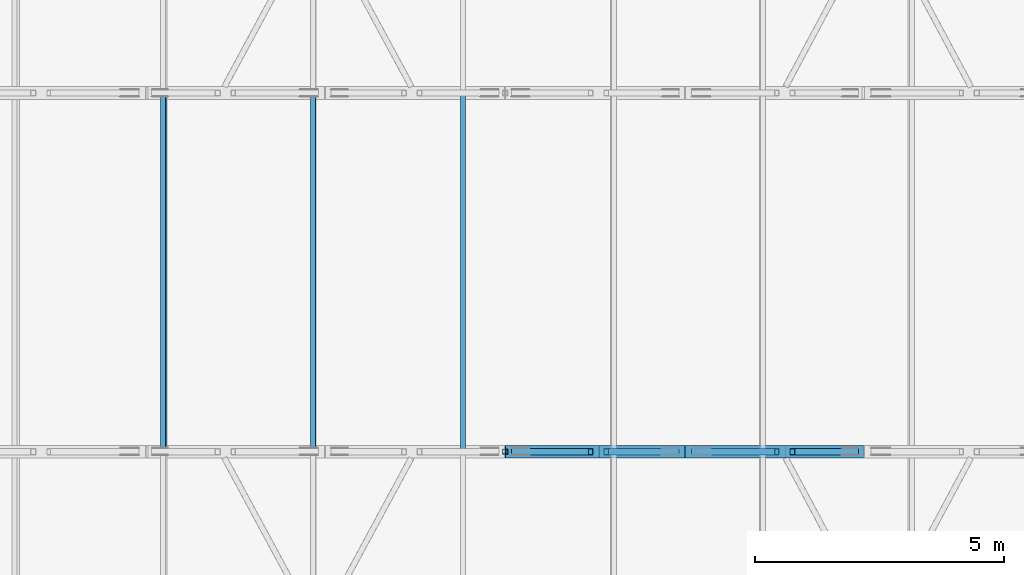
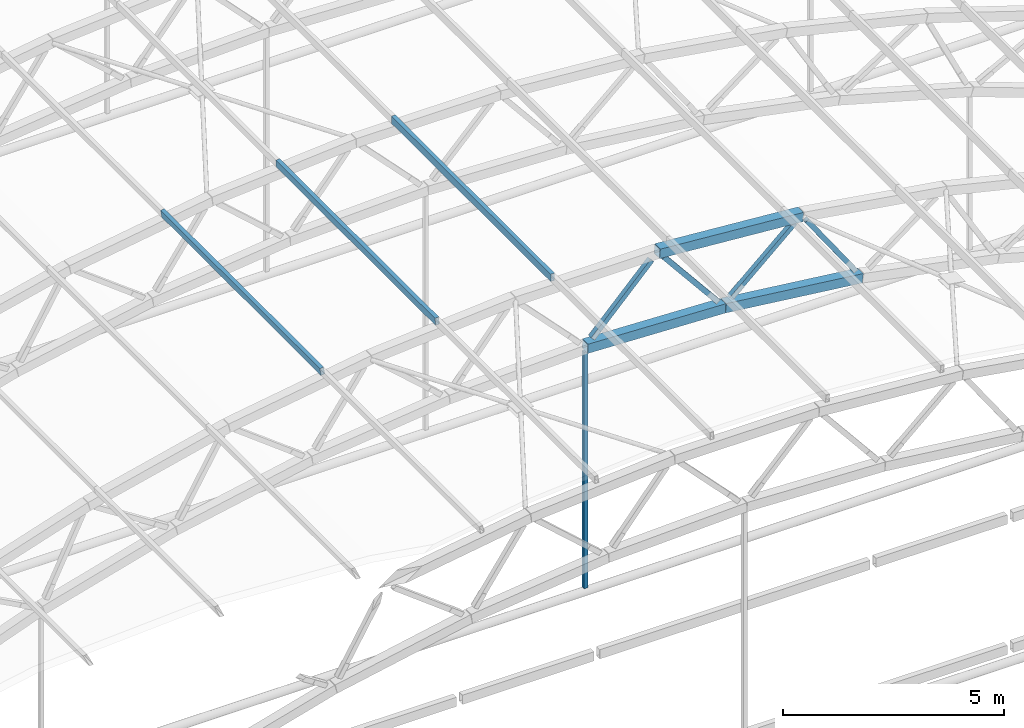
# One storey, part 50 of 127: 11 members.
"""IFC4 building model written with IfcOpenShell, lengths in metres."""

from ifc_helpers import new_model, si_unit, direction, frame, origin, origin_2d, place, context, subcontext, project, spatial, hollow_rectangle, extrude, material, material_profile, profile_set, type_object, element, save


model = new_model("IFC4")

# Units and contexts
model_context = context("Model", 3, precision=1e-05, world=origin(), true_north=direction((0.0, 1.0)))
body_context = subcontext(model_context, "Body", "Model", "MODEL_VIEW")
ifc_project = project(units=[si_unit("LENGTHUNIT", "METRE"), si_unit("AREAUNIT", "SQUARE_METRE"), si_unit("VOLUMEUNIT", "CUBIC_METRE"), si_unit("PLANEANGLEUNIT", "RADIAN"), si_unit("MASSUNIT", "GRAM", prefix="KILO")], contexts=[model_context])

# Site, building, storey
site_placement = place(None, origin())
site = spatial("IfcSite", under=ifc_project, at=site_placement, CompositionType="ELEMENT")
building_placement = place(site_placement, origin())
building = spatial("IfcBuilding", under=site, at=building_placement, Name="Verrick Yard Athletic Hall", CompositionType="ELEMENT")
storey_placement = place(building_placement, frame((0.0, 0.0, 14.0)))
storey = spatial("IfcBuildingStorey", under=building, at=storey_placement, Name="L03", CompositionType="ELEMENT", Elevation=14.0)

# Members
ifc_material = material(Name="Structural steel HSS Class C 350W (CSA G40.20/G40.21)", Category="steel")
ifc_material_profile_1 = material_profile(ifc_material, hollow_rectangle(XDim=0.25390625, YDim=0.25390625, WallThickness=0.009521484375, at=origin_2d()), Name="HSS254x254x9.5")
ifc_profile_set_1 = profile_set([ifc_material_profile_1], Name="Structural steel HSS Class C 350W (CSA G40.20/G40.21)")
member_type_1 = type_object("IfcMemberType", Name="HB bottom chord HSS254x254x9.5", PredefinedType="CHORD", material=ifc_profile_set_1)
member_1_placement = place(storey_placement, frame((145.60498046875, 79.199951171875, 6.757080078125), z_axis=(0.999229759959, 0.0, -0.039241391579), x_axis=(0.0, 1.0, 0.0)))
element("IfcMember", 1, at=member_1_placement, inside=storey, type_object=member_type_1, Name="Truss TA2 bottom chord 8", PredefinedType="CHORD", context=body_context, shape_type="SweptSolid", body=[
    extrude(hollow_rectangle(XDim=0.25390625, YDim=0.25390625, WallThickness=0.009521484375, at=origin_2d()), origin(), (0.0, 0.0, 1.0), 3.595947265625),
])
member_2_placement = place(storey_placement, frame((149.208251953125, 79.199951171875, 6.615234375), z_axis=(0.993094882284, 0.0, -0.117313915545), x_axis=(0.0, 1.0, 0.0)))
element("IfcMember", 2, at=member_2_placement, inside=storey, type_object=member_type_1, Name="Truss TA2 bottom chord 9", PredefinedType="CHORD", context=body_context, shape_type="SweptSolid", body=[
    extrude(hollow_rectangle(XDim=0.25390625, YDim=0.25390625, WallThickness=0.009521484375, at=origin_2d()), origin(), (0.0, 0.0, 1.0), 3.59619140625),
])
ifc_material_profile_2 = material_profile(ifc_material, hollow_rectangle(XDim=0.1015625, YDim=0.203125, WallThickness=0.009521484375, at=origin_2d()), Name="HSS203x102x9.5")
ifc_profile_set_2 = profile_set([ifc_material_profile_2], Name="Structural steel HSS Class C 350W (CSA G40.20/G40.21)")
member_type_2 = type_object("IfcMemberType", Name="HB purlin HSS203x102x9.5", PredefinedType="PURLIN", material=ifc_profile_set_2)
for number, where, z_axis, x_axis, name in (
    (3, (138.750244140625, 79.199951171875, 8.464599609375), (0.0, 1.0, 0.0), (-0.987728086354, 0.0, -0.156183313539), "HB-PU-A-2-7"),
    (4, (141.747802734375, 79.199951171875, 8.794677734375), (0.0, 1.0, 0.0), (-0.996927304266, 0.0, -0.078332305011), "HB-PU-A-2-8"),
    (5, (144.759765625, 79.199951171875, 8.948974609375), (0.0, 1.0, 0.0), (-1.0, 0.0, 0.0), "HB-PU-A-2-9"),
):
    element("IfcMember", number, at=place(storey_placement, frame(where, z_axis=z_axis, x_axis=x_axis)), inside=storey, type_object=member_type_2, Name=name, PredefinedType="PURLIN", context=body_context, shape_type="SweptSolid", body=[
        extrude(hollow_rectangle(XDim=0.1015625, YDim=0.203125, WallThickness=0.009521484375, at=origin_2d()), origin(), (0.0, 0.0, 1.0), 7.199951171875),
    ])
ifc_material_profile_3 = material_profile(ifc_material, hollow_rectangle(XDim=0.25390625, YDim=0.25390625, WallThickness=0.009521484375, at=origin_2d()), Name="HSS254x254x9.5")
ifc_profile_set_3 = profile_set([ifc_material_profile_3], Name="Structural steel HSS Class C 350W (CSA G40.20/G40.21)")
member_type_3 = type_object("IfcMemberType", Name="HB top chord HSS254x254x9.5", PredefinedType="CHORD", material=ifc_profile_set_3)
member_3_placement = place(storey_placement, frame((147.486328125, 79.199951171875, 8.719970703125), z_axis=(0.996928028323, 0.0, -0.078323089468), x_axis=(0.0, 1.0, 0.0)))
element("IfcMember", 6, at=member_3_placement, inside=storey, type_object=member_type_3, Name="Truss TA2 top chord 9", PredefinedType="CHORD", context=body_context, shape_type="SweptSolid", body=[
    extrude(hollow_rectangle(XDim=0.25390625, YDim=0.25390625, WallThickness=0.009521484375, at=origin_2d()), origin(), (0.0, 0.0, 1.0), 3.7529296875),
])
ifc_material_profile_4 = material_profile(ifc_material, hollow_rectangle(XDim=0.1015625, YDim=0.1015625, WallThickness=0.00634765625, at=origin_2d()), Name="HSS102x102x6.4")
ifc_profile_set_4 = profile_set([ifc_material_profile_4], Name="Structural steel HSS Class C 350W (CSA G40.20/G40.21)")
member_type_4 = type_object("IfcMemberType", Name="HB truss hanger HSS102x102x6.4", PredefinedType="MEMBER", material=ifc_profile_set_4)
member_4_placement = place(storey_placement, frame((145.60009765625, 79.199951171875, 6.628173828125), z_axis=(0.0, 0.0, -1.0), x_axis=(0.0, -1.0, 0.0)))
element("IfcMember", 7, at=member_4_placement, inside=storey, type_object=member_type_4, Name="Truss TA2 hanger 2", PredefinedType="MEMBER", context=body_context, shape_type="SweptSolid", body=[
    extrude(hollow_rectangle(XDim=0.1015625, YDim=0.1015625, WallThickness=0.00634765625, at=origin_2d()), origin(), (0.0, 0.0, 1.0), 6.5185546875),
])
ifc_material_profile_5 = material_profile(ifc_material, hollow_rectangle(XDim=0.126953125, YDim=0.126953125, WallThickness=0.009521484375, at=origin_2d()), Name="HSS127x127x9.5")
ifc_profile_set_5 = profile_set([ifc_material_profile_5], Name="Structural steel HSS Class C 350W (CSA G40.20/G40.21)")
member_type_5 = type_object("IfcMemberType", Name="HB truss web HSS127x127x9.5", PredefinedType="BRACE", material=ifc_profile_set_5)
member_5_placement = place(storey_placement, frame((145.772216796875, 79.199951171875, 6.936767578125), z_axis=(0.691917233653, 0.0, 0.721976829112), x_axis=(0.0, 1.0, 0.0)))
element("IfcMember", 8, at=member_5_placement, inside=storey, type_object=member_type_5, Name="Truss TA2 web 15", PredefinedType="BRACE", context=body_context, shape_type="SweptSolid", body=[
    extrude(hollow_rectangle(XDim=0.126953125, YDim=0.126953125, WallThickness=0.009521484375, at=origin_2d()), origin(), (0.0, 0.0, 1.0), 2.2333984375),
])
for number, where, z_axis, x_axis, name in (
    (9, (147.63134765625, 79.199951171875, 8.537109375), (0.633202076169, 0.0, -0.773986518445), (0.0, 1.0, 0.0), "Truss TA2 web 16"),
    (10, (149.388916015625, 79.199951171875, 6.781494140625), (0.746340924984, 0.0, 0.665563838932), (0.0, 1.0, 0.0), "Truss TA2 web 17"),
    (11, (151.367919921875, 79.199951171875, 8.231201171875), (0.570664111571, 0.0, -0.821183579819), (0.0, 1.0, 0.0), "Truss TA2 web 18"),
):
    element("IfcMember", number, at=place(storey_placement, frame(where, z_axis=z_axis, x_axis=x_axis)), inside=storey, type_object=member_type_5, Name=name, PredefinedType="BRACE", context=body_context, shape_type="SweptSolid", body=[
        extrude(hollow_rectangle(XDim=0.126953125, YDim=0.126953125, WallThickness=0.009521484375, at=origin_2d()), origin(), (0.0, 0.0, 1.0), 2.233642578125),
    ])

save(model, "model.ifc")
